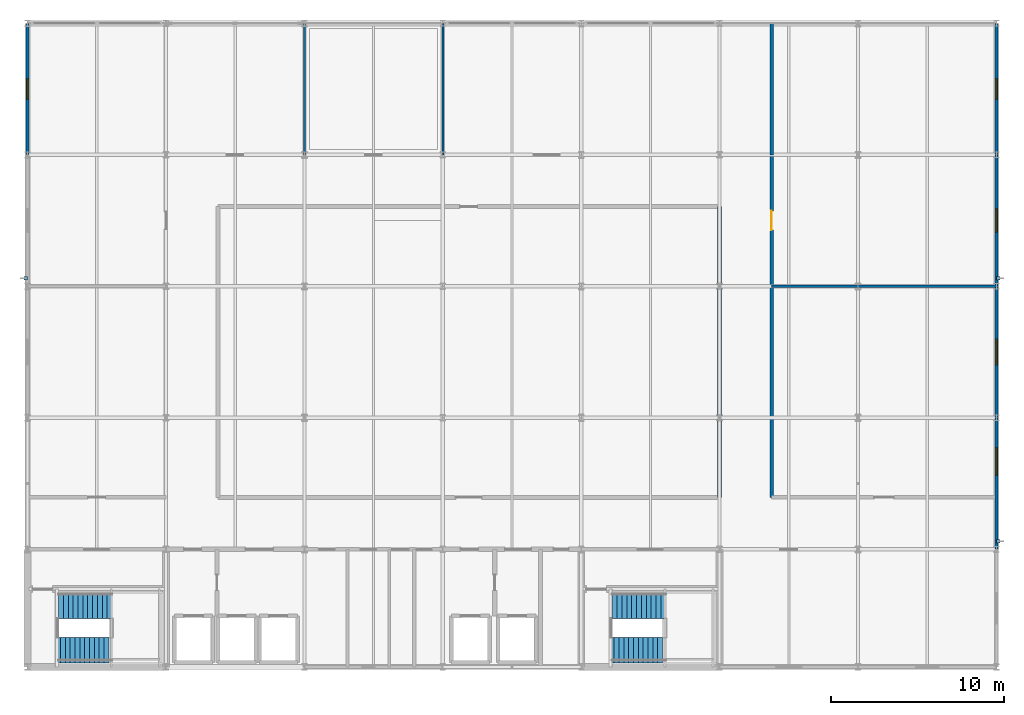
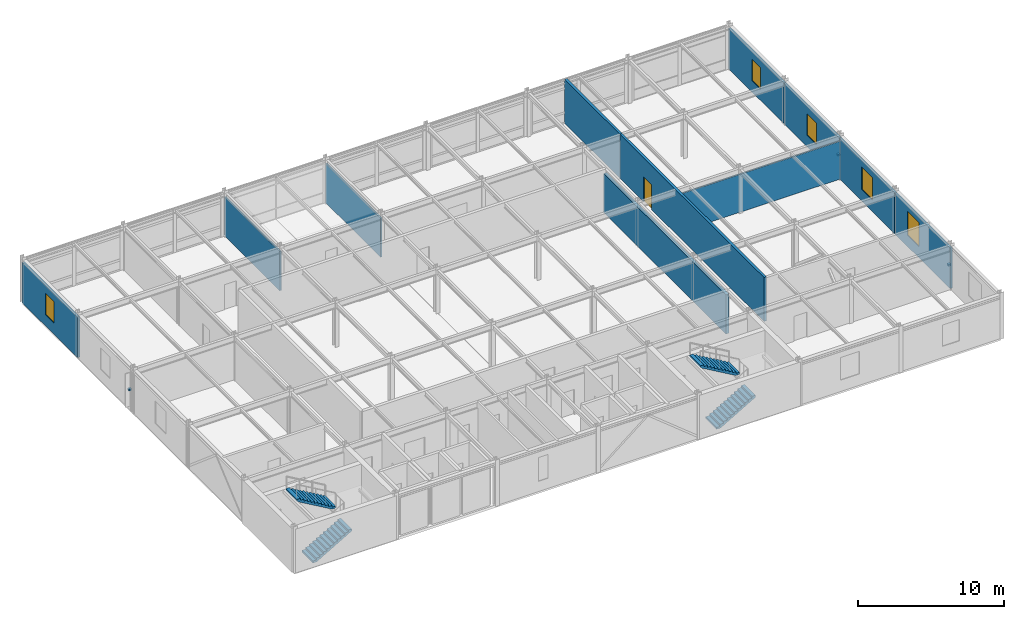
# One storey, part 13 of 15: 11 walls, 5 windows, 4 stair flights, 3 discrete accessories, 1 door, 6 openings, 2 elements without a shape of their own.
"""IFC4 building model written with IfcOpenShell, lengths in metres."""

from ifc_helpers import new_model, si_unit, direction, frame, frame_2d, origin, origin_2d, place, context, subcontext, project, spatial, polyline, rectangle, outline, extrude, material, layer, layer_set, type_object, element, fill, aggregate, save


model = new_model("IFC4")

# Units and contexts
model_context = context("Model", 3, precision=1e-05, world=origin(), true_north=direction((0.0, 1.0)))
body_context = subcontext(model_context, "Body", "Model", "MODEL_VIEW")
ifc_project = project(units=[si_unit("LENGTHUNIT", "METRE"), si_unit("AREAUNIT", "SQUARE_METRE"), si_unit("VOLUMEUNIT", "CUBIC_METRE"), si_unit("PLANEANGLEUNIT", "RADIAN"), si_unit("MASSUNIT", "GRAM", prefix="KILO")], contexts=[model_context])

# Site, building, storey
site_placement = place(None, origin())
site = spatial("IfcSite", under=ifc_project, at=site_placement, CompositionType="ELEMENT")
building_placement = place(site_placement, origin())
building = spatial("IfcBuilding", under=site, at=building_placement, Name="Shalkamar Park Central Library", CompositionType="ELEMENT")
storey_placement = place(building_placement, frame((0.0, 0.0, 39.89990234375)))
storey = spatial("IfcBuildingStorey", under=building, at=storey_placement, Name="L10", CompositionType="ELEMENT", Elevation=39.89990234375)

# Walls
ifc_material_1 = material(Name="Reinforced fire-compartment masonry wall", Category="masonry")
ifc_layer_1 = layer(ifc_material_1, 0.239990234375)
ifc_layer_set_1 = layer_set([ifc_layer_1], Name="CompartmentWall_240")
wall_type_1 = type_object("IfcWallType", Name="Compartment Wall 240", PredefinedType="PARTITIONING", material=ifc_layer_set_1)
wall_1_placement = place(storey_placement, frame((205.0, 258.199951171875, 0.0), z_axis=(0.0, 0.0, 1.0), x_axis=(0.0, 1.0, 0.0)))
element("IfcWall", 1, at=wall_1_placement, inside=storey, type_object=wall_type_1, Name="Interior Partition WL-INT-L10-014", PredefinedType="PARTITIONING", context=body_context, shape_type="SweptSolid", body=[
    extrude(rectangle(XDim=16.800048828125, YDim=0.239990234375, at=frame_2d((8.39990234375, 0.0))), origin(), (0.0, 0.0, 1.0), 3.278076171875),
])
ifc_material_2 = material(Name="Fire-rated corridor partition wall", Category="masonry")
ifc_layer_2 = layer(ifc_material_2, 0.199951171875)
ifc_layer_set_2 = layer_set([ifc_layer_2], Name="CorridorFireWall_200")
wall_type_2 = type_object("IfcWallType", Name="Corridor Fire Wall 200", PredefinedType="PARTITIONING", material=ifc_layer_set_2)
wall_2_placement = place(storey_placement, frame((208.0, 278.0, 0.0), z_axis=(0.0, 0.0, 1.0), x_axis=(0.0, 1.0, 0.0)))
element("IfcWall", 2, at=wall_2_placement, inside=storey, type_object=wall_type_2, Name="Interior Partition WL-INT-L10-021", PredefinedType="PARTITIONING", context=body_context, shape_type="SweptSolid", body=[
    extrude(rectangle(XDim=7.60009765625, YDim=0.199951171875, at=frame_2d((3.800048828125, 0.0))), origin(), (0.0, 0.0, 1.0), 3.68017578125),
])

# Wall, opening, door
wall_3_placement = place(storey_placement, frame((208.0, 258.199951171875, 0.0), z_axis=(0.0, 0.0, 1.0), x_axis=(0.0, 1.0, 0.0)))
wall_3 = element("IfcWall", 3, at=wall_3_placement, inside=storey, type_object=wall_type_2, Name="Interior Partition WL-INT-L10-023", PredefinedType="PARTITIONING", context=body_context, shape_type="SweptSolid", body=[
    extrude(rectangle(XDim=19.800048828125, YDim=0.199951171875, at=frame_2d((9.89990234375, 0.0))), origin(), (0.0, 0.0, 1.0), 3.68017578125),
])
opening_1_placement = place(wall_3_placement, frame((15.449951171875, 0.0, 0.0)))
opening_1 = element("IfcOpeningElement", 4, at=opening_1_placement, cuts=wall_3, Name="Opening DR-L10-021", PredefinedType="OPENING", context=body_context, shape_type="SweptSolid", body=[
    extrude(rectangle(XDim=1.10009765625, YDim=2.10009765625, at=frame_2d((0.550048828125, 1.050048828125))), frame((0.0, 0.11474609375, 0.0), z_axis=(0.0, -1.0, 0.0), x_axis=(1.0, 0.0, 0.0)), (0.0, 0.0, 1.0), 0.229736328125),
])
ifc_material_3 = material(Name="Steel S355", Category="steel")
door_type = type_object("IfcDoorType", Name="Interior Door Single 1100x2100", OperationType="NOTDEFINED", PredefinedType="DOOR", material=ifc_material_3)
door_placement = place(opening_1_placement, frame((1.10009765625, 0.0, 0.0), z_axis=(0.0, 0.0, 1.0), x_axis=(-1.0, 0.0, 0.0)))
door = element("IfcDoor", 5, at=door_placement, inside=storey, type_object=door_type, Name="L10 Patent Reading Room West Door", OperationType="SINGLE_SWING_LEFT", OverallHeight=2.10009765625, OverallWidth=1.10009765625, PredefinedType="DOOR", context=body_context, shape_type="SweptSolid", body=[
    extrude(rectangle(XDim=1.10009765625, YDim=2.10009765625, at=frame_2d((0.550048828125, 1.050048828125))), frame((0.0, 0.02490234375, 0.0), z_axis=(0.0, -1.0, 0.0), x_axis=(1.0, 0.0, 0.0)), (0.0, 0.0, 1.0), 0.050048828125),
])
fill(opening_1, door)

# Walls
ifc_material_4 = material(Name="Lightweight acoustic stud partition", Category="masonry")
ifc_layer_3 = layer(ifc_material_4, 0.1201171875)
ifc_layer_set_3 = layer_set([ifc_layer_3], Name="StandardPartition_120")
wall_type_3 = type_object("IfcWallType", Name="Standard Partition 120", PredefinedType="PARTITIONING", material=ifc_layer_set_3)
for number, where, z_axis, x_axis, name in (
    (6, (181.0, 278.0, 0.0), (0.0, 0.0, 1.0), (0.0, 1.0, 0.0), "Interior Partition WL-INT-L10-019"),
    (7, (189.0, 278.0, 0.0), (0.0, 0.0, 1.0), (0.0, 1.0, 0.0), "Interior Partition WL-INT-L10-020"),
):
    element("IfcWall", number, at=place(storey_placement, frame(where, z_axis=z_axis, x_axis=x_axis)), inside=storey, type_object=wall_type_3, Name=name, PredefinedType="PARTITIONING", context=body_context, shape_type="SweptSolid", body=[
        extrude(rectangle(XDim=7.60009765625, YDim=0.1201171875, at=frame_2d((3.800048828125, 0.0))), origin(), (0.0, 0.0, 1.0), 3.278076171875),
    ])
wall_4_placement = place(storey_placement, frame((208.0, 270.39990234375, 0.0), z_axis=(0.0, 0.0, 1.0), x_axis=(1.0, 0.0, 0.0)))
element("IfcWall", 8, at=wall_4_placement, inside=storey, type_object=wall_type_3, Name="Interior Partition WL-INT-L10-024", PredefinedType="PARTITIONING", context=body_context, shape_type="SweptSolid", body=[
    extrude(rectangle(XDim=13.0, YDim=0.1201171875, at=frame_2d((6.5, 0.0))), origin(), (0.0, 0.0, 1.0), 3.177978515625),
])

# Wall, opening, window
ifc_material_5 = material(Name="Terracotta insulated wall panel", Category="masonry")
ifc_layer_4 = layer(ifc_material_5, 0.179931640625)
ifc_layer_set_4 = layer_set([ifc_layer_4], Name="TowerSpandrelWall_180")
wall_type_4 = type_object("IfcWallType", Name="Tower Spandrel Wall 180", PredefinedType="SOLIDWALL", material=ifc_layer_set_4)
wall_5_placement = place(storey_placement, frame((165.0, 278.006103515625, 0.0), z_axis=(0.0, 0.0, 1.0), x_axis=(0.0, 1.0, 0.0)))
wall_5 = element("IfcWall", 9, at=wall_5_placement, inside=storey, type_object=wall_type_4, Name="Exterior Facade Wall WL-EXT-L10-206", PredefinedType="SOLIDWALL", context=body_context, shape_type="SweptSolid", body=[
    extrude(rectangle(XDim=7.587890625, YDim=0.179931640625, at=frame_2d((3.7939453125, 0.0))), origin(), (0.0, 0.0, 1.0), 3.408203125),
])
opening_2_placement = place(wall_5_placement, frame((3.194091796875, 0.0, 0.949951171875)))
opening_2 = element("IfcOpeningElement", 10, at=opening_2_placement, cuts=wall_5, Name="Opening WN-16", PredefinedType="OPENING", context=body_context, shape_type="SweptSolid", body=[
    extrude(rectangle(XDim=1.199951171875, YDim=1.800048828125, at=frame_2d((0.60009765625, 0.89990234375))), frame((0.0, 0.10498046875, 0.0), z_axis=(0.0, -1.0, 0.0), x_axis=(1.0, 0.0, 0.0)), (0.0, 0.0, 1.0), 0.209716796875),
])
ifc_material_6 = material(Name="Thermally broken aluminium and triple low-e glass", Category="glass")
window_type_1 = type_object("IfcWindowType", Name="Tower Window 1200x1800", PartitioningType="SINGLE_PANEL", PredefinedType="WINDOW", material=ifc_material_6)
window_1_placement = place(opening_2_placement, origin())
window_1 = element("IfcWindow", 11, at=window_1_placement, inside=storey, type_object=window_type_1, Name="Facade Window WN-L10-147", OverallHeight=1.800048828125, OverallWidth=1.199951171875, PartitioningType="SINGLE_PANEL", PredefinedType="WINDOW", context=body_context, shape_type="SweptSolid", body=[
    extrude(rectangle(XDim=1.199951171875, YDim=1.800048828125, at=frame_2d((0.60009765625, 0.89990234375))), frame((0.0, 0.030029296875, 0.0), z_axis=(0.0, -1.0, 0.0), x_axis=(1.0, 0.0, 0.0)), (0.0, 0.0, 1.0), 0.06005859375),
])
fill(opening_2, window_1)

wall_6_placement = place(storey_placement, frame((221.0, 255.2060546875, 0.0), z_axis=(0.0, 0.0, 1.0), x_axis=(0.0, 1.0, 0.0)))
wall_6 = element("IfcWall", 12, at=wall_6_placement, inside=storey, type_object=wall_type_4, Name="Exterior Facade Wall WL-EXT-L10-208", PredefinedType="SOLIDWALL", context=body_context, shape_type="SweptSolid", body=[
    extrude(rectangle(XDim=7.587890625, YDim=0.179931640625, at=frame_2d((3.7939453125, 0.0))), origin(), (0.0, 0.0, 1.0), 3.408203125),
])
opening_3_placement = place(wall_6_placement, frame((4.26611328125, 0.0, 0.949951171875)))
opening_3 = element("IfcOpeningElement", 13, at=opening_3_placement, cuts=wall_6, Name="Opening WN-13", PredefinedType="OPENING", context=body_context, shape_type="SweptSolid", body=[
    extrude(rectangle(XDim=1.60009765625, YDim=2.0, at=frame_2d((0.800048828125, 1.0))), frame((0.0, 0.10498046875, 0.0), z_axis=(0.0, -1.0, 0.0), x_axis=(1.0, 0.0, 0.0)), (0.0, 0.0, 1.0), 0.209716796875),
])
window_type_2 = type_object("IfcWindowType", Name="Tower Window 1600x2000", PartitioningType="SINGLE_PANEL", PredefinedType="WINDOW", material=ifc_material_6)
window_2_placement = place(opening_3_placement, origin())
window_2 = element("IfcWindow", 14, at=window_2_placement, inside=storey, type_object=window_type_2, Name="Facade Window WN-L10-149", OverallHeight=2.0, OverallWidth=1.60009765625, PartitioningType="SINGLE_PANEL", PredefinedType="WINDOW", context=body_context, shape_type="SweptSolid", body=[
    extrude(rectangle(XDim=1.60009765625, YDim=2.0, at=frame_2d((0.800048828125, 1.0))), frame((0.0, 0.030029296875, 0.0), z_axis=(0.0, -1.0, 0.0), x_axis=(1.0, 0.0, 0.0)), (0.0, 0.0, 1.0), 0.06005859375),
])
fill(opening_3, window_2)

wall_7_placement = place(storey_placement, frame((221.0, 262.805908203125, 0.0), z_axis=(0.0, 0.0, 1.0), x_axis=(0.0, 1.0, 0.0)))
wall_7 = element("IfcWall", 15, at=wall_7_placement, inside=storey, type_object=wall_type_4, Name="Exterior Facade Wall WL-EXT-L10-209", PredefinedType="SOLIDWALL", context=body_context, shape_type="SweptSolid", body=[
    extrude(rectangle(XDim=7.588134765625, YDim=0.179931640625, at=frame_2d((3.7939453125, 0.0))), origin(), (0.0, 0.0, 1.0), 3.408203125),
])
opening_4_placement = place(wall_7_placement, frame((3.0439453125, 0.0, 0.949951171875)))
opening_4 = element("IfcOpeningElement", 16, at=opening_4_placement, cuts=wall_7, Name="Opening WN-14", PredefinedType="OPENING", context=body_context, shape_type="SweptSolid", body=[
    extrude(rectangle(XDim=1.5, YDim=1.89990234375, at=frame_2d((0.75, 0.949951171875))), frame((0.0, 0.10498046875, 0.0), z_axis=(0.0, -1.0, 0.0), x_axis=(1.0, 0.0, 0.0)), (0.0, 0.0, 1.0), 0.209716796875),
])
window_type_3 = type_object("IfcWindowType", Name="Tower Window 1500x1900", PartitioningType="SINGLE_PANEL", PredefinedType="WINDOW", material=ifc_material_6)
window_3_placement = place(opening_4_placement, origin())
window_3 = element("IfcWindow", 17, at=window_3_placement, inside=storey, type_object=window_type_3, Name="Facade Window WN-L10-150", OverallHeight=1.89990234375, OverallWidth=1.5, PartitioningType="SINGLE_PANEL", PredefinedType="WINDOW", context=body_context, shape_type="SweptSolid", body=[
    extrude(rectangle(XDim=1.5, YDim=1.89990234375, at=frame_2d((0.75, 0.949951171875))), frame((0.0, 0.030029296875, 0.0), z_axis=(0.0, -1.0, 0.0), x_axis=(1.0, 0.0, 0.0)), (0.0, 0.0, 1.0), 0.06005859375),
])
fill(opening_4, window_3)

wall_8_placement = place(storey_placement, frame((221.0, 270.406005859375, 0.0), z_axis=(0.0, 0.0, 1.0), x_axis=(0.0, 1.0, 0.0)))
wall_8 = element("IfcWall", 18, at=wall_8_placement, inside=storey, type_object=wall_type_4, Name="Exterior Facade Wall WL-EXT-L10-210", PredefinedType="SOLIDWALL", context=body_context, shape_type="SweptSolid", body=[
    extrude(rectangle(XDim=7.587890625, YDim=0.179931640625, at=frame_2d((3.7939453125, 0.0))), origin(), (0.0, 0.0, 1.0), 3.408203125),
])
opening_5_placement = place(wall_8_placement, frame((3.118896484375, 0.0, 0.949951171875)))
opening_5 = element("IfcOpeningElement", 19, at=opening_5_placement, cuts=wall_8, Name="Opening WN-15", PredefinedType="OPENING", context=body_context, shape_type="SweptSolid", body=[
    extrude(rectangle(XDim=1.35009765625, YDim=1.800048828125, at=frame_2d((0.675048828125, 0.89990234375))), frame((0.0, 0.10498046875, 0.0), z_axis=(0.0, -1.0, 0.0), x_axis=(1.0, 0.0, 0.0)), (0.0, 0.0, 1.0), 0.209716796875),
])
window_type_4 = type_object("IfcWindowType", Name="Tower Window 1350x1800", PartitioningType="SINGLE_PANEL", PredefinedType="WINDOW", material=ifc_material_6)
window_4_placement = place(opening_5_placement, origin())
window_4 = element("IfcWindow", 20, at=window_4_placement, inside=storey, type_object=window_type_4, Name="Facade Window WN-L10-151", OverallHeight=1.800048828125, OverallWidth=1.35009765625, PartitioningType="SINGLE_PANEL", PredefinedType="WINDOW", context=body_context, shape_type="SweptSolid", body=[
    extrude(rectangle(XDim=1.35009765625, YDim=1.800048828125, at=frame_2d((0.675048828125, 0.89990234375))), frame((0.0, 0.030029296875, 0.0), z_axis=(0.0, -1.0, 0.0), x_axis=(1.0, 0.0, 0.0)), (0.0, 0.0, 1.0), 0.06005859375),
])
fill(opening_5, window_4)

wall_9_placement = place(storey_placement, frame((221.0, 278.006103515625, 0.0), z_axis=(0.0, 0.0, 1.0), x_axis=(0.0, 1.0, 0.0)))
wall_9 = element("IfcWall", 21, at=wall_9_placement, inside=storey, type_object=wall_type_4, Name="Exterior Facade Wall WL-EXT-L10-211", PredefinedType="SOLIDWALL", context=body_context, shape_type="SweptSolid", body=[
    extrude(rectangle(XDim=7.587890625, YDim=0.179931640625, at=frame_2d((3.7939453125, 0.0))), origin(), (0.0, 0.0, 1.0), 3.408203125),
])
opening_6_placement = place(wall_9_placement, frame((3.194091796875, 0.0, 0.949951171875)))
opening_6 = element("IfcOpeningElement", 22, at=opening_6_placement, cuts=wall_9, Name="Opening WN-16", PredefinedType="OPENING", context=body_context, shape_type="SweptSolid", body=[
    extrude(rectangle(XDim=1.199951171875, YDim=1.800048828125, at=frame_2d((0.60009765625, 0.89990234375))), frame((0.0, 0.10498046875, 0.0), z_axis=(0.0, -1.0, 0.0), x_axis=(1.0, 0.0, 0.0)), (0.0, 0.0, 1.0), 0.209716796875),
])
window_5_placement = place(opening_6_placement, origin())
window_5 = element("IfcWindow", 23, at=window_5_placement, inside=storey, type_object=window_type_1, Name="Facade Window WN-L10-152", OverallHeight=1.800048828125, OverallWidth=1.199951171875, PartitioningType="SINGLE_PANEL", PredefinedType="WINDOW", context=body_context, shape_type="SweptSolid", body=[
    extrude(rectangle(XDim=1.199951171875, YDim=1.800048828125, at=frame_2d((0.60009765625, 0.89990234375))), frame((0.0, 0.030029296875, 0.0), z_axis=(0.0, -1.0, 0.0), x_axis=(1.0, 0.0, 0.0)), (0.0, 0.0, 1.0), 0.06005859375),
])
fill(opening_6, window_5)

# Stair, stair flights
ifc_material_7 = material(Name="Concrete C35/45", Category="concrete")
stair_type = type_object("IfcStairType", Name="Protected Dog Leg Stair 150x390", PredefinedType="TWO_STRAIGHT_RUN_STAIR", material=ifc_material_7)
stair_1_placement = place(storey_placement, origin())
stair_1 = element("IfcStair", 24, at=stair_1_placement, inside=storey, type_object=stair_type, Name="Protected Core Stair ST-T1-L10", PredefinedType="TWO_STRAIGHT_RUN_STAIR")
stair_flight_type = type_object("IfcStairFlightType", Name="Straight Stair Flight 150x390", PredefinedType="STRAIGHT", material=ifc_material_7)
stair_flight_1_placement = place(storey_placement, frame((166.6201171875, 249.389892578125, 0.0), z_axis=(0.0, 0.0, 1.0), x_axis=(1.0, 0.0, 0.0)))
stair_flight_1 = element("IfcStairFlight", 25, at=stair_flight_1_placement, type_object=stair_flight_type, Name="ST-T1-L10 flight 1", NumberOfRisers=12, NumberOfTreads=11, PredefinedType="STRAIGHT", RiserHeight=0.1625, TreadLength=0.28, context=body_context, shape_type="SweptSolid", body=[
    extrude(outline(polyline([(0.0, 0.0), (0.0, 0.16259765625), (0.280029296875, 0.16259765625), (0.280029296875, 0.324951171875), (0.56005859375, 0.324951171875), (0.56005859375, 0.487548828125), (0.840087890625, 0.487548828125), (0.840087890625, 0.64990234375), (1.1201171875, 0.64990234375), (1.1201171875, 0.8125), (1.39990234375, 0.8125), (1.39990234375, 0.97509765625), (1.679931640625, 0.97509765625), (1.679931640625, 1.137451171875), (1.9599609375, 1.137451171875), (1.9599609375, 1.300048828125), (2.239990234375, 1.300048828125), (2.239990234375, 1.46240234375), (2.52001953125, 1.46240234375), (2.52001953125, 1.625), (2.800048828125, 1.625), (2.800048828125, 1.78759765625), (3.080078125, 1.78759765625), (3.080078125, 1.949951171875), (3.080078125, 1.6142578125), (0.298583984375, 0.0), (0.0, 0.0)])), frame((0.0, 0.75, 0.0), z_axis=(0.0, -1.0, 0.0), x_axis=(1.0, 0.0, 0.0)), (0.0, 0.0, 1.0), 1.5),
])
stair_flight_2_placement = place(storey_placement, frame((169.8798828125, 251.909912109375, 1.9501953125), z_axis=(0.0, 0.0, 1.0), x_axis=(-1.0, 0.0, 0.0)))
stair_flight_2 = element("IfcStairFlight", 26, at=stair_flight_2_placement, type_object=stair_flight_type, Name="ST-T1-L10 flight 2", NumberOfRisers=12, NumberOfTreads=11, PredefinedType="STRAIGHT", RiserHeight=0.1625, TreadLength=0.28, context=body_context, shape_type="SweptSolid", body=[
    extrude(outline(polyline([(0.0, 0.0), (0.0, 0.16259765625), (0.280029296875, 0.16259765625), (0.280029296875, 0.324951171875), (0.56005859375, 0.324951171875), (0.56005859375, 0.487548828125), (0.840087890625, 0.487548828125), (0.840087890625, 0.64990234375), (1.1201171875, 0.64990234375), (1.1201171875, 0.8125), (1.39990234375, 0.8125), (1.39990234375, 0.97509765625), (1.679931640625, 0.97509765625), (1.679931640625, 1.137451171875), (1.9599609375, 1.137451171875), (1.9599609375, 1.300048828125), (2.239990234375, 1.300048828125), (2.239990234375, 1.46240234375), (2.52001953125, 1.46240234375), (2.52001953125, 1.625), (2.800048828125, 1.625), (2.800048828125, 1.78759765625), (3.080078125, 1.78759765625), (3.080078125, 1.949951171875), (3.080078125, 1.6142578125), (0.298583984375, 0.0), (0.0, 0.0)])), frame((0.0, 0.75, 0.0), z_axis=(0.0, -1.0, 0.0), x_axis=(1.0, 0.0, 0.0)), (0.0, 0.0, 1.0), 1.5),
])
aggregate(stair_1, [stair_flight_1, stair_flight_2])

stair_2_placement = place(storey_placement, origin())
stair_2 = element("IfcStair", 27, at=stair_2_placement, inside=storey, type_object=stair_type, Name="Protected Core Stair ST-T2-L10", PredefinedType="TWO_STRAIGHT_RUN_STAIR")
stair_flight_3_placement = place(storey_placement, frame((198.6201171875, 249.389892578125, 0.0), z_axis=(0.0, 0.0, 1.0), x_axis=(1.0, 0.0, 0.0)))
stair_flight_3 = element("IfcStairFlight", 28, at=stair_flight_3_placement, type_object=stair_flight_type, Name="ST-T2-L10 flight 1", NumberOfRisers=12, NumberOfTreads=11, PredefinedType="STRAIGHT", RiserHeight=0.1625, TreadLength=0.28, context=body_context, shape_type="SweptSolid", body=[
    extrude(outline(polyline([(0.0, 0.0), (0.0, 0.16259765625), (0.280029296875, 0.16259765625), (0.280029296875, 0.324951171875), (0.56005859375, 0.324951171875), (0.56005859375, 0.487548828125), (0.840087890625, 0.487548828125), (0.840087890625, 0.64990234375), (1.1201171875, 0.64990234375), (1.1201171875, 0.8125), (1.39990234375, 0.8125), (1.39990234375, 0.97509765625), (1.679931640625, 0.97509765625), (1.679931640625, 1.137451171875), (1.9599609375, 1.137451171875), (1.9599609375, 1.300048828125), (2.239990234375, 1.300048828125), (2.239990234375, 1.46240234375), (2.52001953125, 1.46240234375), (2.52001953125, 1.625), (2.800048828125, 1.625), (2.800048828125, 1.78759765625), (3.080078125, 1.78759765625), (3.080078125, 1.949951171875), (3.080078125, 1.6142578125), (0.298583984375, 0.0), (0.0, 0.0)])), frame((0.0, 0.75, 0.0), z_axis=(0.0, -1.0, 0.0), x_axis=(1.0, 0.0, 0.0)), (0.0, 0.0, 1.0), 1.5),
])
stair_flight_4_placement = place(storey_placement, frame((201.8798828125, 251.909912109375, 1.9501953125), z_axis=(0.0, 0.0, 1.0), x_axis=(-1.0, 0.0, 0.0)))
stair_flight_4 = element("IfcStairFlight", 29, at=stair_flight_4_placement, type_object=stair_flight_type, Name="ST-T2-L10 flight 2", NumberOfRisers=12, NumberOfTreads=11, PredefinedType="STRAIGHT", RiserHeight=0.1625, TreadLength=0.28, context=body_context, shape_type="SweptSolid", body=[
    extrude(outline(polyline([(0.0, 0.0), (0.0, 0.16259765625), (0.280029296875, 0.16259765625), (0.280029296875, 0.324951171875), (0.56005859375, 0.324951171875), (0.56005859375, 0.487548828125), (0.840087890625, 0.487548828125), (0.840087890625, 0.64990234375), (1.1201171875, 0.64990234375), (1.1201171875, 0.8125), (1.39990234375, 0.8125), (1.39990234375, 0.97509765625), (1.679931640625, 0.97509765625), (1.679931640625, 1.137451171875), (1.9599609375, 1.137451171875), (1.9599609375, 1.300048828125), (2.239990234375, 1.300048828125), (2.239990234375, 1.46240234375), (2.52001953125, 1.46240234375), (2.52001953125, 1.625), (2.800048828125, 1.625), (2.800048828125, 1.78759765625), (3.080078125, 1.78759765625), (3.080078125, 1.949951171875), (3.080078125, 1.6142578125), (0.298583984375, 0.0), (0.0, 0.0)])), frame((0.0, 0.75, 0.0), z_axis=(0.0, -1.0, 0.0), x_axis=(1.0, 0.0, 0.0)), (0.0, 0.0, 1.0), 1.5),
])
aggregate(stair_2, [stair_flight_3, stair_flight_4])

# Discrete accessories
discrete_accessory_type = type_object("IfcDiscreteAccessoryType", Name="Stainless Facade Bracket", PredefinedType="BRACKET", material=ifc_material_3)
for number, where, z_axis, x_axis, name in (
    (30, (164.909912109375, 270.85595703125, 1.6240234375), (0.0, 0.0, 1.0), (1.0, 0.0, 0.0), "Solar Fin Bracket L10-014"),
    (31, (221.090087890625, 255.656005859375, 1.6240234375), (0.0, 0.0, 1.0), (1.0, 0.0, 0.0), "Solar Fin Bracket L10-015"),
    (32, (221.090087890625, 270.85595703125, 1.6240234375), (0.0, 0.0, 1.0), (1.0, 0.0, 0.0), "Solar Fin Bracket L10-016"),
):
    element("IfcDiscreteAccessory", number, at=place(storey_placement, frame(where, z_axis=z_axis, x_axis=x_axis)), inside=storey, type_object=discrete_accessory_type, Name=name, PredefinedType="BRACKET", context=body_context, shape_type="SweptSolid", body=[
        extrude(rectangle(XDim=0.199951171875, YDim=0.199951171875, at=origin_2d()), origin(), (0.0, 0.0, 1.0), 0.159912109375),
    ])

save(model, "model.ifc")
